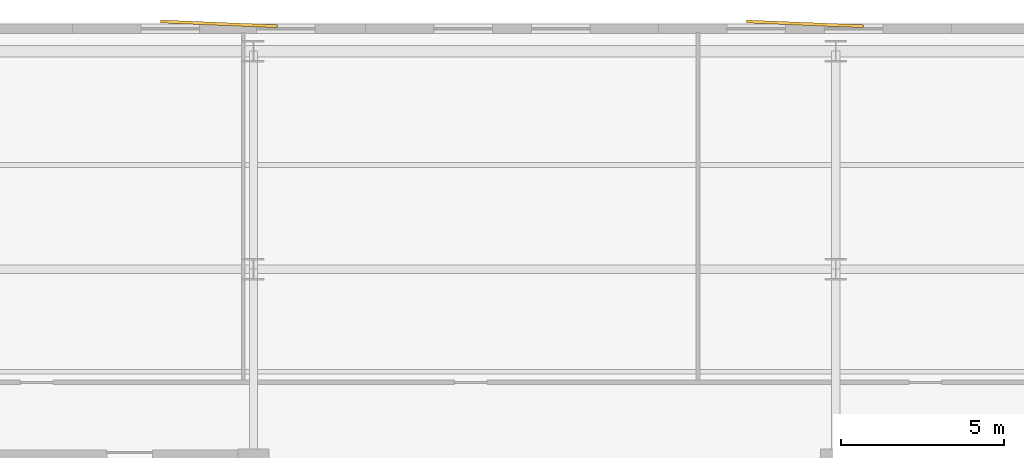
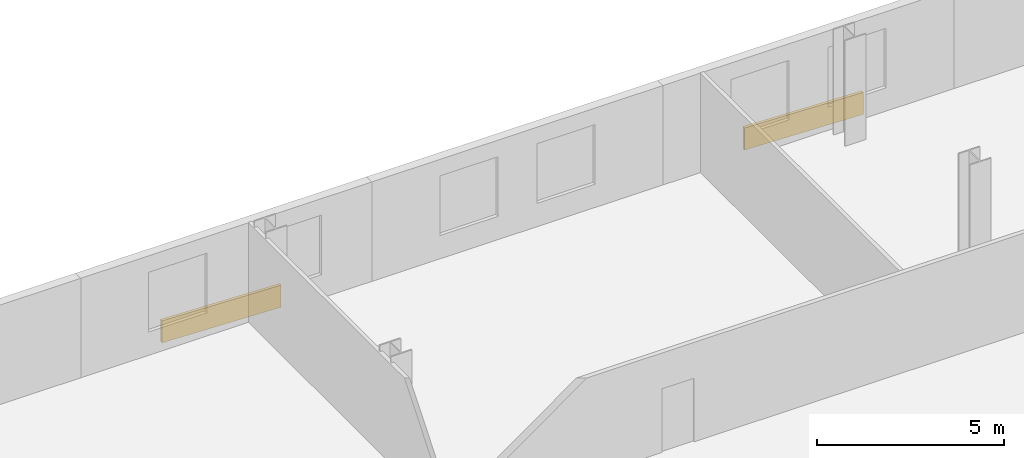
# One storey, part 12 of 12: 2 coverings.
"""IFC4 building model written with IfcOpenShell, lengths in metres."""

from ifc_helpers import new_model, si_unit, direction, frame, origin, origin_2d, place, context, subcontext, project, spatial, rectangle, extrude, material, layer, layer_set, type_object, element, save


model = new_model("IFC4")

# Units and contexts
model_context = context("Model", 3, precision=1e-05, world=origin(), true_north=direction((0.0, 1.0)))
body_context = subcontext(model_context, "Body", "Model", "MODEL_VIEW")
ifc_project = project(units=[si_unit("LENGTHUNIT", "METRE"), si_unit("AREAUNIT", "SQUARE_METRE"), si_unit("VOLUMEUNIT", "CUBIC_METRE"), si_unit("PLANEANGLEUNIT", "RADIAN"), si_unit("MASSUNIT", "GRAM", prefix="KILO")], contexts=[model_context])

# Site, building, storey
site_placement = place(None, origin())
site = spatial("IfcSite", under=ifc_project, at=site_placement, CompositionType="ELEMENT")
building_placement = place(site_placement, origin())
building = spatial("IfcBuilding", under=site, at=building_placement, Name="Velakula Bourse", CompositionType="ELEMENT")
storey_placement = place(building_placement, frame((0.0, 0.0, 134.64990234375)))
storey = spatial("IfcBuildingStorey", under=building, at=storey_placement, Name="L36", CompositionType="ELEMENT", Elevation=134.64990234375)

# Coverings
ifc_material = material(Name="Red kilned clay facing brick masonry", Category="masonry")
ifc_layer = layer(ifc_material, 0.090087890625, Name="Red kilned clay facing brick masonry", Category="masonry")
ifc_layer_set = layer_set([ifc_layer], Name="Red kilned clay facing brick masonry")
covering_type = type_object("IfcCoveringType", Name="COV-BRK-FOLD-90", PredefinedType="CLADDING", material=ifc_layer_set)
for number, where, z_axis, x_axis, name in (
    (1, (-10.0, 22.139892578125, 0.0), (0.0, 0.0, 1.0), (0.999158993058, -0.041003738744, 0.0), "L36 Folded Brick Facade Cladding Panel N-B2"),
    (2, (8.0, 22.139892578125, 0.0), (0.0, 0.0, 1.0), (0.999158993058, -0.041003738744, 0.0), "L36 Folded Brick Facade Cladding Panel N-B4"),
):
    element("IfcCovering", number, at=place(storey_placement, frame(where, z_axis=z_axis, x_axis=x_axis)), inside=storey, type_object=covering_type, Name=name, PredefinedType="CLADDING", context=body_context, shape_type="SweptSolid", body=[
        extrude(rectangle(XDim=3.60009765625, YDim=0.090087890625, at=origin_2d()), origin(), (0.0, 0.0, 1.0), 0.719970703125),
    ])

save(model, "model.ifc")
